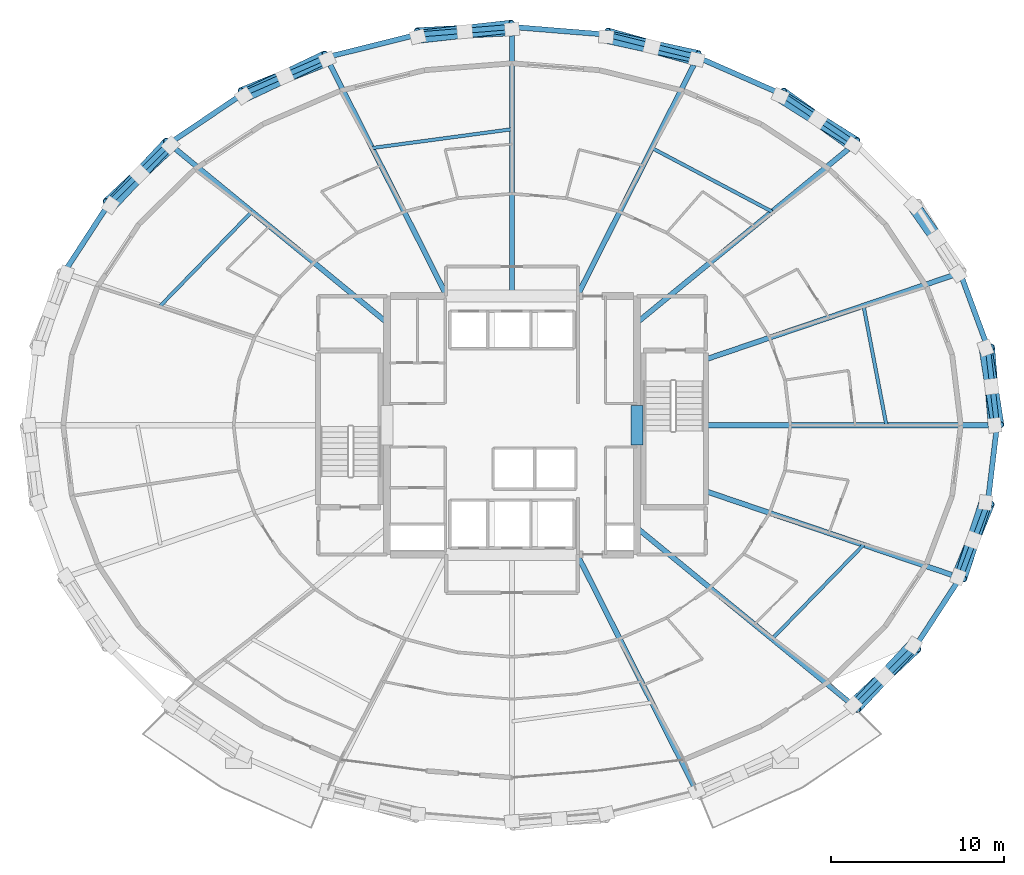
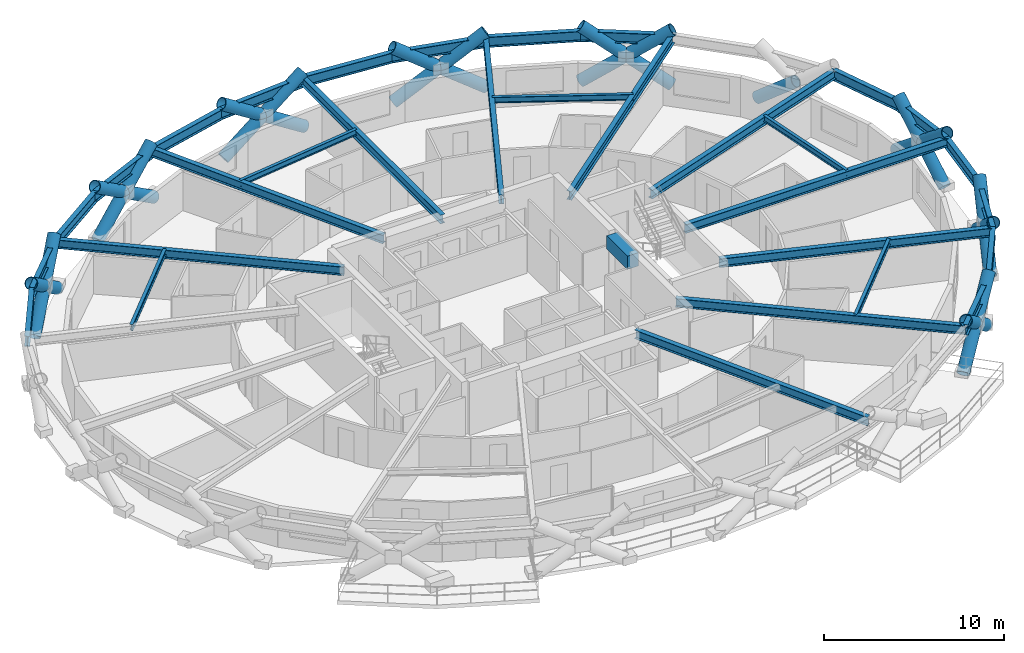
# One storey, part 5 of 13: 32 beams, 25 members.
"""IFC4 building model written with IfcOpenShell, lengths in metres."""

from ifc_helpers import new_model, si_unit, direction, frame, origin, origin_2d, place, context, subcontext, project, spatial, rectangle, hollow_circle, i_section, extrude, material, material_profile, profile_set, type_object, element, save


model = new_model("IFC4")

# Units and contexts
model_context = context("Model", 3, precision=1e-05, world=origin(), true_north=direction((0.0, 1.0)))
body_context = subcontext(model_context, "Body", "Model", "MODEL_VIEW")
ifc_project = project(units=[si_unit("LENGTHUNIT", "METRE"), si_unit("AREAUNIT", "SQUARE_METRE"), si_unit("VOLUMEUNIT", "CUBIC_METRE"), si_unit("PLANEANGLEUNIT", "RADIAN"), si_unit("MASSUNIT", "GRAM", prefix="KILO")], contexts=[model_context])

# Site, building, storey
site_placement = place(None, origin())
site = spatial("IfcSite", under=ifc_project, at=site_placement, CompositionType="ELEMENT")
building_placement = place(site_placement, origin())
building = spatial("IfcBuilding", under=site, at=building_placement, Name="Veldorina Hangang Commons", CompositionType="ELEMENT")
storey_placement = place(building_placement, frame((0.0, 0.0, 37.60009765625)))
storey = spatial("IfcBuildingStorey", under=building, at=storey_placement, Name="L08", CompositionType="ELEMENT", Elevation=37.60009765625)

# Beams
ifc_material_1 = material(Name="Concrete C70/85", Category="concrete")
ifc_material_profile_1 = material_profile(ifc_material_1, rectangle(XDim=0.699951171875, YDim=0.89990234375, at=origin_2d()), Name="RC-CB-700x900")
ifc_profile_set_1 = profile_set([ifc_material_profile_1], Name="Concrete C70/85")
beam_type_1 = type_object("IfcBeamType", Name="BM-CB900", PredefinedType="LINTEL", material=ifc_profile_set_1)
beam_1_placement = place(storey_placement, frame((39.199951171875, 22.85009765625, 2.889892578125), z_axis=(0.0, 1.0, 0.0), x_axis=(-1.0, 0.0, 0.0)))
element("IfcBeam", 1, at=beam_1_placement, inside=storey, type_object=beam_type_1, Name="L08 E core coupling lintel beam", PredefinedType="LINTEL", context=body_context, shape_type="SweptSolid", body=[
    extrude(rectangle(XDim=0.699951171875, YDim=0.89990234375, at=origin_2d()), origin(), (0.0, 0.0, 1.0), 2.2998046875),
])
ifc_material_2 = material(Name="Steel SM460-TMC", Category="steel")
ifc_material_profile_2 = material_profile(ifc_material_2, i_section(OverallWidth=0.300048828125, OverallDepth=0.587890625, WebThickness=0.011962890625, FlangeThickness=0.02001953125, FilletRadius=0.01806640625, at=origin_2d()), Name="H-588x300x12x20")
ifc_profile_set_2 = profile_set([ifc_material_profile_2], Name="Steel SM460-TMC")
beam_type_2 = type_object("IfcBeamType", Name="BM-FG588", PredefinedType="BEAM", material=ifc_profile_set_2)
beam_2_placement = place(storey_placement, frame((43.179931640625, 24.0, 3.0458984375), z_axis=(1.0, 0.0, 0.0), x_axis=(0.0, 1.0, 0.0)))
element("IfcBeam", 2, at=beam_2_placement, inside=storey, type_object=beam_type_2, Name="L08 radial floor girder 01", PredefinedType="BEAM", context=body_context, shape_type="SweptSolid", body=[
    extrude(i_section(OverallWidth=0.300048828125, OverallDepth=0.587890625, WebThickness=0.011962890625, FlangeThickness=0.02001953125, FilletRadius=0.01806640625, at=origin_2d()), origin(), (0.0, 0.0, 1.0), 16.7880859375),
])
beam_3_placement = place(storey_placement, frame((43.179931640625, 27.802978515625, 3.0458984375), z_axis=(0.946724488541, 0.32204462858, 0.0), x_axis=(-0.32204462858, 0.946724488541, 0.0)))
element("IfcBeam", 3, at=beam_3_placement, inside=storey, type_object=beam_type_2, Name="L08 radial floor girder 02", PredefinedType="BEAM", context=body_context, shape_type="SweptSolid", body=[
    extrude(i_section(OverallWidth=0.300048828125, OverallDepth=0.587890625, WebThickness=0.011962890625, FlangeThickness=0.02001953125, FilletRadius=0.01806640625, at=origin_2d()), origin(), (0.0, 0.0, 1.0), 15.484130859375),
])
beam_4_placement = place(storey_placement, frame((39.199951171875, 29.912841796875, 3.0458984375), z_axis=(0.772809028637, 0.634638641478, 0.0), x_axis=(-0.634638641478, 0.772809028637, 0.0)))
element("IfcBeam", 4, at=beam_4_placement, inside=storey, type_object=beam_type_2, Name="L08 radial floor girder 03", PredefinedType="BEAM", context=body_context, shape_type="SweptSolid", body=[
    extrude(i_section(OverallWidth=0.300048828125, OverallDepth=0.587890625, WebThickness=0.011962890625, FlangeThickness=0.02001953125, FilletRadius=0.01806640625, at=origin_2d()), origin(), (0.0, 0.0, 1.0), 16.273681640625),
])
beam_5_placement = place(storey_placement, frame((35.7578125, 31.449951171875, 3.0458984375), z_axis=(0.45033266296, 0.892860847317, 0.0), x_axis=(-0.892860847317, 0.45033266296, 0.0)))
element("IfcBeam", 5, at=beam_5_placement, inside=storey, type_object=beam_type_2, Name="L08 radial floor girder 04", PredefinedType="BEAM", context=body_context, shape_type="SweptSolid", body=[
    extrude(i_section(OverallWidth=0.300048828125, OverallDepth=0.587890625, WebThickness=0.011962890625, FlangeThickness=0.02001953125, FilletRadius=0.01806640625, at=origin_2d()), origin(), (0.0, 0.0, 1.0), 15.422119140625),
])
beam_6_placement = place(storey_placement, frame((32.0, 31.449951171875, 3.0458984375), z_axis=(0.0, 1.0, 0.0), x_axis=(-1.0, 0.0, 0.0)))
element("IfcBeam", 6, at=beam_6_placement, inside=storey, type_object=beam_type_2, Name="L08 radial floor girder 05", PredefinedType="BEAM", context=body_context, shape_type="SweptSolid", body=[
    extrude(i_section(OverallWidth=0.300048828125, OverallDepth=0.587890625, WebThickness=0.011962890625, FlangeThickness=0.02001953125, FilletRadius=0.01806640625, at=origin_2d()), origin(), (0.0, 0.0, 1.0), 15.51806640625),
])
beam_7_placement = place(storey_placement, frame((28.2421875, 31.449951171875, 3.0458984375), z_axis=(-0.45033266296, 0.892860847317, 0.0), x_axis=(-0.892860847317, -0.45033266296, 0.0)))
element("IfcBeam", 7, at=beam_7_placement, inside=storey, type_object=beam_type_2, Name="L08 radial floor girder 06", PredefinedType="BEAM", context=body_context, shape_type="SweptSolid", body=[
    extrude(i_section(OverallWidth=0.300048828125, OverallDepth=0.587890625, WebThickness=0.011962890625, FlangeThickness=0.02001953125, FilletRadius=0.01806640625, at=origin_2d()), origin(), (0.0, 0.0, 1.0), 15.422119140625),
])
beam_8_placement = place(storey_placement, frame((24.800048828125, 29.912841796875, 3.0458984375), z_axis=(-0.772809028637, 0.634638641478, 0.0), x_axis=(-0.634638641478, -0.772809028637, 0.0)))
element("IfcBeam", 8, at=beam_8_placement, inside=storey, type_object=beam_type_2, Name="L08 radial floor girder 07", PredefinedType="BEAM", context=body_context, shape_type="SweptSolid", body=[
    extrude(i_section(OverallWidth=0.300048828125, OverallDepth=0.587890625, WebThickness=0.011962890625, FlangeThickness=0.02001953125, FilletRadius=0.01806640625, at=origin_2d()), origin(), (0.0, 0.0, 1.0), 16.273681640625),
])
beam_9_placement = place(storey_placement, frame((35.7578125, 16.550048828125, 3.0458984375), z_axis=(0.45033266296, -0.892860847317, 0.0), x_axis=(0.892860847317, 0.45033266296, 0.0)))
element("IfcBeam", 9, at=beam_9_placement, inside=storey, type_object=beam_type_2, Name="L08 radial floor girder 14", PredefinedType="BEAM", context=body_context, shape_type="SweptSolid", body=[
    extrude(i_section(OverallWidth=0.300048828125, OverallDepth=0.587890625, WebThickness=0.011962890625, FlangeThickness=0.02001953125, FilletRadius=0.01806640625, at=origin_2d()), origin(), (0.0, 0.0, 1.0), 15.422119140625),
])
beam_10_placement = place(storey_placement, frame((39.199951171875, 18.087158203125, 3.0458984375), z_axis=(0.772809028637, -0.634638641478, 0.0), x_axis=(0.634638641478, 0.772809028637, 0.0)))
element("IfcBeam", 10, at=beam_10_placement, inside=storey, type_object=beam_type_2, Name="L08 radial floor girder 15", PredefinedType="BEAM", context=body_context, shape_type="SweptSolid", body=[
    extrude(i_section(OverallWidth=0.300048828125, OverallDepth=0.587890625, WebThickness=0.011962890625, FlangeThickness=0.02001953125, FilletRadius=0.01806640625, at=origin_2d()), origin(), (0.0, 0.0, 1.0), 16.273681640625),
])
beam_11_placement = place(storey_placement, frame((43.179931640625, 20.197021484375, 3.0458984375), z_axis=(0.946724488541, -0.32204462858, 0.0), x_axis=(0.32204462858, 0.946724488541, 0.0)))
element("IfcBeam", 11, at=beam_11_placement, inside=storey, type_object=beam_type_2, Name="L08 radial floor girder 16", PredefinedType="BEAM", context=body_context, shape_type="SweptSolid", body=[
    extrude(i_section(OverallWidth=0.300048828125, OverallDepth=0.587890625, WebThickness=0.011962890625, FlangeThickness=0.02001953125, FilletRadius=0.01806640625, at=origin_2d()), origin(), (0.0, 0.0, 1.0), 15.484130859375),
])
ifc_material_3 = material(Name="Steel SM355-TMC", Category="steel")
ifc_material_profile_3 = material_profile(ifc_material_3, i_section(OverallWidth=0.199951171875, OverallDepth=0.39990234375, WebThickness=0.008056640625, FlangeThickness=0.012939453125, FilletRadius=0.012939453125, at=origin_2d()), Name="H-400x200x8x13")
ifc_profile_set_3 = profile_set([ifc_material_profile_3], Name="Steel SM355-TMC")
beam_type_3 = type_object("IfcBeamType", Name="BM-JST400", PredefinedType="JOIST", material=ifc_profile_set_3)
beam_12_placement = place(storey_placement, frame((53.588623046875, 24.0, 3.139892578125), z_axis=(-0.188050142781, 0.982159428912, 0.0), x_axis=(-0.982159428912, -0.188050142781, 0.0)))
element("IfcBeam", 12, at=beam_12_placement, inside=storey, type_object=beam_type_3, Name="L08 secondary floor joist 01", PredefinedType="JOIST", context=body_context, shape_type="SweptSolid", body=[
    extrude(i_section(OverallWidth=0.199951171875, OverallDepth=0.39990234375, WebThickness=0.008056640625, FlangeThickness=0.012939453125, FilletRadius=0.012939453125, at=origin_2d()), origin(), (0.0, 0.0, 1.0), 7.019775390625),
])
beam_13_placement = place(storey_placement, frame((46.997314453125, 36.316162109375, 3.139892578125), z_axis=(-0.883765964202, 0.467929183229, 0.0), x_axis=(-0.467929183229, -0.883765964202, 0.0)))
element("IfcBeam", 13, at=beam_13_placement, inside=storey, type_object=beam_type_3, Name="L08 secondary floor joist 03", PredefinedType="JOIST", context=body_context, shape_type="SweptSolid", body=[
    extrude(i_section(OverallWidth=0.199951171875, OverallDepth=0.39990234375, WebThickness=0.008056640625, FlangeThickness=0.012939453125, FilletRadius=0.012939453125, at=origin_2d()), origin(), (0.0, 0.0, 1.0), 7.845458984375),
])
beam_14_placement = place(storey_placement, frame((32.0, 41.0712890625, 3.139892578125), z_axis=(-0.991085288644, -0.133228940676, 0.0), x_axis=(0.133228940676, -0.991085288644, 0.0)))
element("IfcBeam", 14, at=beam_14_placement, inside=storey, type_object=beam_type_3, Name="L08 secondary floor joist 05", PredefinedType="JOIST", context=body_context, shape_type="SweptSolid", body=[
    extrude(i_section(OverallWidth=0.199951171875, OverallDepth=0.39990234375, WebThickness=0.008056640625, FlangeThickness=0.012939453125, FilletRadius=0.012939453125, at=origin_2d()), origin(), (0.0, 0.0, 1.0), 8.13623046875),
])
for number, where, z_axis, x_axis, name in (
    (15, (17.002685546875, 36.316162109375, 3.139892578125), (-0.697092685683, -0.716981023157, 0.0), (0.716981023157, -0.697092685683, 0.0), "L08 secondary floor joist 07"),
    (16, (46.997314453125, 11.683837890625, 3.139892578125), (0.697092685683, 0.716981023157, 0.0), (-0.716981023157, 0.697092685683, 0.0), "L08 secondary floor joist 15"),
):
    element("IfcBeam", number, at=place(storey_placement, frame(where, z_axis=z_axis, x_axis=x_axis)), inside=storey, type_object=beam_type_3, Name=name, PredefinedType="JOIST", context=body_context, shape_type="SweptSolid", body=[
        extrude(i_section(OverallWidth=0.199951171875, OverallDepth=0.39990234375, WebThickness=0.008056640625, FlangeThickness=0.012939453125, FilletRadius=0.012939453125, at=origin_2d()), origin(), (0.0, 0.0, 1.0), 7.561767578125),
    ])
ifc_material_profile_4 = material_profile(ifc_material_2, i_section(OverallWidth=0.300048828125, OverallDepth=0.699951171875, WebThickness=0.012939453125, FlangeThickness=0.02392578125, FilletRadius=0.02197265625, at=origin_2d()), Name="H-700x300x13x24")
ifc_profile_set_4 = profile_set([ifc_material_profile_4], Name="Steel SM460-TMC")
beam_type_4 = type_object("IfcBeamType", Name="BM-RB700", PredefinedType="BEAM", material=ifc_profile_set_4)
beam_15_placement = place(storey_placement, frame((59.968017578125, 24.0, 2.989990234375), z_axis=(-0.119066294028, 0.992886306496, 0.0), x_axis=(-0.992886306496, -0.119066294028, 0.0)))
element("IfcBeam", 17, at=beam_15_placement, inside=storey, type_object=beam_type_4, Name="L08 perimeter hoop ring beam 00", PredefinedType="BEAM", context=body_context, shape_type="SweptSolid", body=[
    extrude(i_section(OverallWidth=0.300048828125, OverallDepth=0.699951171875, WebThickness=0.012939453125, FlangeThickness=0.02392578125, FilletRadius=0.02197265625, at=origin_2d()), origin(), (0.0, 0.0, 1.0), 4.51318359375),
])
beam_16_placement = place(storey_placement, frame((59.4306640625, 28.48095703125, 2.989990234375), z_axis=(-0.346505772207, 0.938047839839, 0.0), x_axis=(-0.938047839839, -0.346505772207, 0.0)))
element("IfcBeam", 18, at=beam_16_placement, inside=storey, type_object=beam_type_4, Name="L08 perimeter hoop ring beam 01", PredefinedType="BEAM", context=body_context, shape_type="SweptSolid", body=[
    extrude(i_section(OverallWidth=0.300048828125, OverallDepth=0.699951171875, WebThickness=0.012939453125, FlangeThickness=0.02392578125, FilletRadius=0.02197265625, at=origin_2d()), origin(), (0.0, 0.0, 1.0), 4.59326171875),
])
beam_17_placement = place(storey_placement, frame((51.7763671875, 40.24072265625, 2.989990234375), z_axis=(-0.8292471772, 0.558882026108, 0.0), x_axis=(-0.558882026108, -0.8292471772, 0.0)))
element("IfcBeam", 19, at=beam_17_placement, inside=storey, type_object=beam_type_4, Name="L08 perimeter hoop ring beam 04", PredefinedType="BEAM", context=body_context, shape_type="SweptSolid", body=[
    extrude(i_section(OverallWidth=0.300048828125, OverallDepth=0.699951171875, WebThickness=0.012939453125, FlangeThickness=0.02392578125, FilletRadius=0.02197265625, at=origin_2d()), origin(), (0.0, 0.0, 1.0), 5.111083984375),
])
beam_18_placement = place(storey_placement, frame((47.5380859375, 43.09716796875, 2.989990234375), z_axis=(-0.91565897193, 0.401956026355, 0.0), x_axis=(-0.401956026355, -0.91565897193, 0.0)))
element("IfcBeam", 20, at=beam_18_placement, inside=storey, type_object=beam_type_4, Name="L08 perimeter hoop ring beam 05", PredefinedType="BEAM", context=body_context, shape_type="SweptSolid", body=[
    extrude(i_section(OverallWidth=0.300048828125, OverallDepth=0.699951171875, WebThickness=0.012939453125, FlangeThickness=0.02392578125, FilletRadius=0.02197265625, at=origin_2d()), origin(), (0.0, 0.0, 1.0), 5.280517578125),
])
beam_19_placement = place(storey_placement, frame((42.702880859375, 45.2197265625, 2.989990234375), z_axis=(-0.970349321217, 0.241706836504, 0.0), x_axis=(-0.241706836504, -0.970349321217, 0.0)))
element("IfcBeam", 21, at=beam_19_placement, inside=storey, type_object=beam_type_4, Name="L08 perimeter hoop ring beam 06", PredefinedType="BEAM", context=body_context, shape_type="SweptSolid", body=[
    extrude(i_section(OverallWidth=0.300048828125, OverallDepth=0.699951171875, WebThickness=0.012939453125, FlangeThickness=0.02392578125, FilletRadius=0.02197265625, at=origin_2d()), origin(), (0.0, 0.0, 1.0), 5.406982421875),
])
for number, where, z_axis, x_axis, name in (
    (22, (37.456298828125, 46.526611328125, 2.989990234375), (-0.996743693077, 0.080635043943, 0.0), (-0.080635043943, -0.996743693077, 0.0), "L08 perimeter hoop ring beam 07"),
    (23, (32.0, 46.968017578125, 2.989990234375), (-0.996743693077, -0.080635043943, 0.0), (0.080635043943, -0.996743693077, 0.0), "L08 perimeter hoop ring beam 08"),
):
    element("IfcBeam", number, at=place(storey_placement, frame(where, z_axis=z_axis, x_axis=x_axis)), inside=storey, type_object=beam_type_4, Name=name, PredefinedType="BEAM", context=body_context, shape_type="SweptSolid", body=[
        extrude(i_section(OverallWidth=0.300048828125, OverallDepth=0.699951171875, WebThickness=0.012939453125, FlangeThickness=0.02392578125, FilletRadius=0.02197265625, at=origin_2d()), origin(), (0.0, 0.0, 1.0), 5.47412109375),
    ])
beam_20_placement = place(storey_placement, frame((26.543701171875, 46.526611328125, 2.989990234375), z_axis=(-0.970349321217, -0.241706836504, 0.0), x_axis=(0.241706836504, -0.970349321217, 0.0)))
element("IfcBeam", 24, at=beam_20_placement, inside=storey, type_object=beam_type_4, Name="L08 perimeter hoop ring beam 09", PredefinedType="BEAM", context=body_context, shape_type="SweptSolid", body=[
    extrude(i_section(OverallWidth=0.300048828125, OverallDepth=0.699951171875, WebThickness=0.012939453125, FlangeThickness=0.02392578125, FilletRadius=0.02197265625, at=origin_2d()), origin(), (0.0, 0.0, 1.0), 5.406982421875),
])
beam_21_placement = place(storey_placement, frame((21.297119140625, 45.2197265625, 2.989990234375), z_axis=(-0.91565897193, -0.401956026355, 0.0), x_axis=(0.401956026355, -0.91565897193, 0.0)))
element("IfcBeam", 25, at=beam_21_placement, inside=storey, type_object=beam_type_4, Name="L08 perimeter hoop ring beam 10", PredefinedType="BEAM", context=body_context, shape_type="SweptSolid", body=[
    extrude(i_section(OverallWidth=0.300048828125, OverallDepth=0.699951171875, WebThickness=0.012939453125, FlangeThickness=0.02392578125, FilletRadius=0.02197265625, at=origin_2d()), origin(), (0.0, 0.0, 1.0), 5.280517578125),
])
beam_22_placement = place(storey_placement, frame((16.4619140625, 43.09716796875, 2.989990234375), z_axis=(-0.8292471772, -0.558882026108, 0.0), x_axis=(0.558882026108, -0.8292471772, 0.0)))
element("IfcBeam", 26, at=beam_22_placement, inside=storey, type_object=beam_type_4, Name="L08 perimeter hoop ring beam 11", PredefinedType="BEAM", context=body_context, shape_type="SweptSolid", body=[
    extrude(i_section(OverallWidth=0.300048828125, OverallDepth=0.699951171875, WebThickness=0.012939453125, FlangeThickness=0.02392578125, FilletRadius=0.02197265625, at=origin_2d()), origin(), (0.0, 0.0, 1.0), 5.111083984375),
])
beam_23_placement = place(storey_placement, frame((12.2236328125, 40.24072265625, 2.989990234375), z_axis=(-0.706883456899, -0.707330034964, 0.0), x_axis=(0.707330034964, -0.706883456899, 0.0)))
element("IfcBeam", 27, at=beam_23_placement, inside=storey, type_object=beam_type_4, Name="L08 perimeter hoop ring beam 12", PredefinedType="BEAM", context=body_context, shape_type="SweptSolid", body=[
    extrude(i_section(OverallWidth=0.300048828125, OverallDepth=0.699951171875, WebThickness=0.012939453125, FlangeThickness=0.02392578125, FilletRadius=0.02197265625, at=origin_2d()), origin(), (0.0, 0.0, 1.0), 4.920166015625),
])
beam_24_placement = place(storey_placement, frame((8.74560546875, 36.760498046875, 2.989990234375), z_axis=(-0.545522532992, -0.83809615558, 0.0), x_axis=(0.83809615558, -0.545522532992, 0.0)))
element("IfcBeam", 28, at=beam_24_placement, inside=storey, type_object=beam_type_4, Name="L08 perimeter hoop ring beam 13", PredefinedType="BEAM", context=body_context, shape_type="SweptSolid", body=[
    extrude(i_section(OverallWidth=0.300048828125, OverallDepth=0.699951171875, WebThickness=0.012939453125, FlangeThickness=0.02392578125, FilletRadius=0.02197265625, at=origin_2d()), origin(), (0.0, 0.0, 1.0), 4.738037109375),
])
beam_25_placement = place(storey_placement, frame((51.7763671875, 7.75927734375, 2.989990234375), z_axis=(0.706883456899, 0.707330034964, 0.0), x_axis=(-0.707330034964, 0.706883456899, 0.0)))
element("IfcBeam", 29, at=beam_25_placement, inside=storey, type_object=beam_type_4, Name="L08 perimeter hoop ring beam 28", PredefinedType="BEAM", context=body_context, shape_type="SweptSolid", body=[
    extrude(i_section(OverallWidth=0.300048828125, OverallDepth=0.699951171875, WebThickness=0.012939453125, FlangeThickness=0.02392578125, FilletRadius=0.02197265625, at=origin_2d()), origin(), (0.0, 0.0, 1.0), 4.920166015625),
])
beam_26_placement = place(storey_placement, frame((55.25439453125, 11.239501953125, 2.989990234375), z_axis=(0.545522532992, 0.83809615558, 0.0), x_axis=(-0.83809615558, 0.545522532992, 0.0)))
element("IfcBeam", 30, at=beam_26_placement, inside=storey, type_object=beam_type_4, Name="L08 perimeter hoop ring beam 29", PredefinedType="BEAM", context=body_context, shape_type="SweptSolid", body=[
    extrude(i_section(OverallWidth=0.300048828125, OverallDepth=0.699951171875, WebThickness=0.012939453125, FlangeThickness=0.02392578125, FilletRadius=0.02197265625, at=origin_2d()), origin(), (0.0, 0.0, 1.0), 4.738037109375),
])
beam_27_placement = place(storey_placement, frame((57.839111328125, 15.21044921875, 2.989990234375), z_axis=(0.346505772207, 0.938047839839, 0.0), x_axis=(-0.938047839839, 0.346505772207, 0.0)))
element("IfcBeam", 31, at=beam_27_placement, inside=storey, type_object=beam_type_4, Name="L08 perimeter hoop ring beam 30", PredefinedType="BEAM", context=body_context, shape_type="SweptSolid", body=[
    extrude(i_section(OverallWidth=0.300048828125, OverallDepth=0.699951171875, WebThickness=0.012939453125, FlangeThickness=0.02392578125, FilletRadius=0.02197265625, at=origin_2d()), origin(), (0.0, 0.0, 1.0), 4.59326171875),
])
beam_28_placement = place(storey_placement, frame((59.4306640625, 19.51904296875, 2.989990234375), z_axis=(0.119066294028, 0.992886306496, 0.0), x_axis=(-0.992886306496, 0.119066294028, 0.0)))
element("IfcBeam", 32, at=beam_28_placement, inside=storey, type_object=beam_type_4, Name="L08 perimeter hoop ring beam 31", PredefinedType="BEAM", context=body_context, shape_type="SweptSolid", body=[
    extrude(i_section(OverallWidth=0.300048828125, OverallDepth=0.699951171875, WebThickness=0.012939453125, FlangeThickness=0.02392578125, FilletRadius=0.02197265625, at=origin_2d()), origin(), (0.0, 0.0, 1.0), 4.51318359375),
])

# Members
ifc_material_profile_5 = material_profile(ifc_material_2, hollow_circle(Radius=0.375, WallThickness=0.035888671875, at=origin_2d()), Name="CHS-750x36")
ifc_profile_set_5 = profile_set([ifc_material_profile_5], Name="Steel SM460-TMC")
member_type = type_object("IfcMemberType", Name="DG-CHS750", PredefinedType="BRACE", material=ifc_profile_set_5)
member_1_placement = place(storey_placement, frame((59.833740234375, 24.0, 0.0), z_axis=(-0.065269057398, 0.778273153597, 0.624524497948), x_axis=(-0.996501860772, -0.08357057782, 0.0)))
element("IfcMember", 33, at=member_1_placement, inside=storey, type_object=member_type, Name="L08 continuous perimeter diagrid brace 00", PredefinedType="BRACE", context=body_context, shape_type="SweptSolid", body=[
    extrude(hollow_circle(Radius=0.375, WallThickness=0.035888671875, at=origin_2d()), origin(), (0.0, 0.0, 1.0), 5.76416015625),
])
member_2_placement = place(storey_placement, frame((59.299072265625, 28.45458984375, 0.0), z_axis=(0.120766008351, -0.772070170123, 0.623957709811), x_axis=(0.987986638153, 0.154539324547, 0.0)))
element("IfcMember", 34, at=member_2_placement, inside=storey, type_object=member_type, Name="L08 split perimeter diagrid lower brace 01", PredefinedType="BRACE", context=body_context, shape_type="SweptSolid", body=[
    extrude(hollow_circle(Radius=0.375, WallThickness=0.035888671875, at=origin_2d()), origin(), (0.0, 0.0, 1.0), 2.874755859375),
])
member_3_placement = place(storey_placement, frame((59.646240234375, 26.235107421875, 1.793701171875), z_axis=(0.120603485245, -0.772115319871, 0.623933275413), x_axis=(0.988019748532, 0.154327497586, 0.0)))
element("IfcMember", 35, at=member_3_placement, inside=storey, type_object=member_type, Name="L08 split perimeter diagrid upper brace 01", PredefinedType="BRACE", context=body_context, shape_type="SweptSolid", body=[
    extrude(hollow_circle(Radius=0.375, WallThickness=0.035888671875, at=origin_2d()), origin(), (0.0, 0.0, 1.0), 2.894775390625),
])
member_4_placement = place(storey_placement, frame((55.14306640625, 36.685791015625, 0.0), z_axis=(0.457310775407, -0.6522786721, 0.604482744683), x_axis=(0.818809617872, 0.574065161528, 0.0)))
element("IfcMember", 36, at=member_4_placement, inside=storey, type_object=member_type, Name="L08 split perimeter diagrid lower brace 03", PredefinedType="BRACE", context=body_context, shape_type="SweptSolid", body=[
    extrude(hollow_circle(Radius=0.375, WallThickness=0.035888671875, at=origin_2d()), origin(), (0.0, 0.0, 1.0), 2.9677734375),
])
member_5_placement = place(storey_placement, frame((51.681396484375, 40.14599609375, 0.0), z_axis=(-0.662322497469, 0.477194976589, 0.577593164489), x_axis=(-0.584565104354, -0.811346805485, 0.0)))
element("IfcMember", 37, at=member_5_placement, inside=storey, type_object=member_type, Name="L08 continuous perimeter diagrid brace 04", PredefinedType="BRACE", context=body_context, shape_type="SweptSolid", body=[
    extrude(hollow_circle(Radius=0.375, WallThickness=0.035888671875, at=origin_2d()), origin(), (0.0, 0.0, 1.0), 6.232421875),
])
member_6_placement = place(storey_placement, frame((47.463623046875, 42.985595703125, 0.0), z_axis=(0.692609612781, -0.435151089223, 0.575269896511), x_axis=(0.53199318191, 0.846748637082, 0.0)))
element("IfcMember", 38, at=member_6_placement, inside=storey, type_object=member_type, Name="L08 split perimeter diagrid lower brace 05", PredefinedType="BRACE", context=body_context, shape_type="SweptSolid", body=[
    extrude(hollow_circle(Radius=0.375, WallThickness=0.035888671875, at=origin_2d()), origin(), (0.0, 0.0, 1.0), 3.118896484375),
])
member_7_placement = place(storey_placement, frame((49.623779296875, 41.62841796875, 1.794189453125), z_axis=(0.692040220609, -0.435947998684, 0.575351784131), x_axis=(0.533004973935, 0.846112107088, 0.0)))
element("IfcMember", 39, at=member_7_placement, inside=storey, type_object=member_type, Name="L08 split perimeter diagrid upper brace 05", PredefinedType="BRACE", context=body_context, shape_type="SweptSolid", body=[
    extrude(hollow_circle(Radius=0.375, WallThickness=0.035888671875, at=origin_2d()), origin(), (0.0, 0.0, 1.0), 3.138427734375),
])
member_8_placement = place(storey_placement, frame((42.651611328125, 45.095703125, 0.0), z_axis=(-0.800639389048, 0.224885586227, 0.555340473775), x_axis=(-0.270417680614, -0.962743100734, 0.0)))
element("IfcMember", 40, at=member_8_placement, inside=storey, type_object=member_type, Name="L08 continuous perimeter diagrid brace 06", PredefinedType="BRACE", context=body_context, shape_type="SweptSolid", body=[
    extrude(hollow_circle(Radius=0.375, WallThickness=0.035888671875, at=origin_2d()), origin(), (0.0, 0.0, 1.0), 6.482177734375),
])
member_9_placement = place(storey_placement, frame((37.43017578125, 46.39501953125, 0.0), z_axis=(0.81339302842, -0.176791792719, 0.554198920374), x_axis=(0.212392041956, 0.977184537595, 0.0)))
element("IfcMember", 41, at=member_9_placement, inside=storey, type_object=member_type, Name="L08 split perimeter diagrid lower brace 07", PredefinedType="BRACE", context=body_context, shape_type="SweptSolid", body=[
    extrude(hollow_circle(Radius=0.375, WallThickness=0.035888671875, at=origin_2d()), origin(), (0.0, 0.0, 1.0), 3.23828125),
])
member_10_placement = place(storey_placement, frame((40.064208984375, 45.822509765625, 1.794677734375), z_axis=(0.813297047265, -0.177259931507, 0.554190246749), x_axis=(0.212952971622, 0.977062450347, 0.0)))
element("IfcMember", 42, at=member_10_placement, inside=storey, type_object=member_type, Name="L08 split perimeter diagrid upper brace 07", PredefinedType="BRACE", context=body_context, shape_type="SweptSolid", body=[
    extrude(hollow_circle(Radius=0.375, WallThickness=0.035888671875, at=origin_2d()), origin(), (0.0, 0.0, 1.0), 3.25732421875),
])
member_11_placement = place(storey_placement, frame((32.0, 46.833740234375, 0.0), z_axis=(-0.834184657462, -0.042807383969, 0.549821321097), x_axis=(0.051249001861, -0.998685906483, 0.0)))
element("IfcMember", 43, at=member_11_placement, inside=storey, type_object=member_type, Name="L08 continuous perimeter diagrid brace 08", PredefinedType="BRACE", context=body_context, shape_type="SweptSolid", body=[
    extrude(hollow_circle(Radius=0.375, WallThickness=0.035888671875, at=origin_2d()), origin(), (0.0, 0.0, 1.0), 6.54736328125),
])
member_12_placement = place(storey_placement, frame((26.56982421875, 46.39501953125, 0.0), z_axis=(0.829982078721, 0.091687983266, 0.550202746927), x_axis=(-0.109801878411, 0.993953493629, 0.0)))
element("IfcMember", 44, at=member_12_placement, inside=storey, type_object=member_type, Name="L08 split perimeter diagrid lower brace 09", PredefinedType="BRACE", context=body_context, shape_type="SweptSolid", body=[
    extrude(hollow_circle(Radius=0.375, WallThickness=0.035888671875, at=origin_2d()), origin(), (0.0, 0.0, 1.0), 3.261962890625),
])
member_13_placement = place(storey_placement, frame((29.277099609375, 46.694091796875, 1.794677734375), z_axis=(0.829951641437, 0.091828236845, 0.550225270043), x_axis=(-0.109971795033, 0.993934708267, 0.0)))
element("IfcMember", 45, at=member_13_placement, inside=storey, type_object=member_type, Name="L08 split perimeter diagrid upper brace 09", PredefinedType="BRACE", context=body_context, shape_type="SweptSolid", body=[
    extrude(hollow_circle(Radius=0.375, WallThickness=0.035888671875, at=origin_2d()), origin(), (0.0, 0.0, 1.0), 3.28076171875),
])
member_14_placement = place(storey_placement, frame((21.348388671875, 45.095703125, 0.0), z_axis=(-0.766569548898, -0.308949137847, 0.562957864255), x_axis=(0.373810673454, -0.927505029858, 0.0)))
element("IfcMember", 46, at=member_14_placement, inside=storey, type_object=member_type, Name="L08 continuous perimeter diagrid brace 10", PredefinedType="BRACE", context=body_context, shape_type="SweptSolid", body=[
    extrude(hollow_circle(Radius=0.375, WallThickness=0.035888671875, at=origin_2d()), origin(), (0.0, 0.0, 1.0), 6.39453125),
])
member_15_placement = place(storey_placement, frame((16.536376953125, 42.985595703125, 0.0), z_axis=(0.745404705458, 0.354145993965, 0.564758744987), x_axis=(-0.429134679923, 0.903240514197, 0.0)))
element("IfcMember", 47, at=member_15_placement, inside=storey, type_object=member_type, Name="L08 split perimeter diagrid lower brace 11", PredefinedType="BRACE", context=body_context, shape_type="SweptSolid", body=[
    extrude(hollow_circle(Radius=0.375, WallThickness=0.035888671875, at=origin_2d()), origin(), (0.0, 0.0, 1.0), 3.17724609375),
])
member_16_placement = place(storey_placement, frame((18.90478515625, 44.11083984375, 1.79443359375), z_axis=(0.745078336332, 0.354821028147, 0.564765713118), x_axis=(-0.429955133741, 0.902850255009, 0.0)))
element("IfcMember", 48, at=member_16_placement, inside=storey, type_object=member_type, Name="L08 split perimeter diagrid upper brace 11", PredefinedType="BRACE", context=body_context, shape_type="SweptSolid", body=[
    extrude(hollow_circle(Radius=0.375, WallThickness=0.035888671875, at=origin_2d()), origin(), (0.0, 0.0, 1.0), 3.19677734375),
])
member_17_placement = place(storey_placement, frame((12.318603515625, 40.14599609375, 0.0), z_axis=(-0.589189935851, -0.552228057874, 0.58982996837), x_axis=(0.683850495613, -0.729622162252, 0.0)))
element("IfcMember", 49, at=member_17_placement, inside=storey, type_object=member_type, Name="L08 continuous perimeter diagrid brace 12", PredefinedType="BRACE", context=body_context, shape_type="SweptSolid", body=[
    extrude(hollow_circle(Radius=0.375, WallThickness=0.035888671875, at=origin_2d()), origin(), (0.0, 0.0, 1.0), 6.103271484375),
])
member_18_placement = place(storey_placement, frame((8.85693359375, 36.685791015625, 0.0), z_axis=(0.551104246419, 0.587774681067, 0.592287965331), x_axis=(-0.729496651386, 0.683984382583, 0.0)))
element("IfcMember", 50, at=member_18_placement, inside=storey, type_object=member_type, Name="L08 split perimeter diagrid lower brace 13", PredefinedType="BRACE", context=body_context, shape_type="SweptSolid", body=[
    extrude(hollow_circle(Radius=0.375, WallThickness=0.035888671875, at=origin_2d()), origin(), (0.0, 0.0, 1.0), 3.029296875),
])
member_19_placement = place(storey_placement, frame((10.5263671875, 38.46630859375, 1.794189453125), z_axis=(0.550400286203, 0.588439008151, 0.592282921106), x_axis=(-0.730317797517, 0.683107542506, 0.0)))
element("IfcMember", 51, at=member_19_placement, inside=storey, type_object=member_type, Name="L08 split perimeter diagrid upper brace 13", PredefinedType="BRACE", context=body_context, shape_type="SweptSolid", body=[
    extrude(hollow_circle(Radius=0.375, WallThickness=0.035888671875, at=origin_2d()), origin(), (0.0, 0.0, 1.0), 3.048583984375),
])
member_20_placement = place(storey_placement, frame((51.681396484375, 7.85400390625, 0.0), z_axis=(0.589189935851, 0.552228057874, 0.58982996837), x_axis=(-0.683850495613, 0.729622162252, 0.0)))
element("IfcMember", 52, at=member_20_placement, inside=storey, type_object=member_type, Name="L08 continuous perimeter diagrid brace 28", PredefinedType="BRACE", context=body_context, shape_type="SweptSolid", body=[
    extrude(hollow_circle(Radius=0.375, WallThickness=0.035888671875, at=origin_2d()), origin(), (0.0, 0.0, 1.0), 6.103271484375),
])
member_21_placement = place(storey_placement, frame((55.14306640625, 11.314208984375, 0.0), z_axis=(-0.551104246419, -0.587774681067, 0.592287965331), x_axis=(0.729496651386, -0.683984382583, 0.0)))
element("IfcMember", 53, at=member_21_placement, inside=storey, type_object=member_type, Name="L08 split perimeter diagrid lower brace 29", PredefinedType="BRACE", context=body_context, shape_type="SweptSolid", body=[
    extrude(hollow_circle(Radius=0.375, WallThickness=0.035888671875, at=origin_2d()), origin(), (0.0, 0.0, 1.0), 3.029296875),
])
member_22_placement = place(storey_placement, frame((53.4736328125, 9.53369140625, 1.794189453125), z_axis=(-0.550400286203, -0.588439008151, 0.592282921106), x_axis=(0.730317797517, -0.683107542506, 0.0)))
element("IfcMember", 54, at=member_22_placement, inside=storey, type_object=member_type, Name="L08 split perimeter diagrid upper brace 29", PredefinedType="BRACE", context=body_context, shape_type="SweptSolid", body=[
    extrude(hollow_circle(Radius=0.375, WallThickness=0.035888671875, at=origin_2d()), origin(), (0.0, 0.0, 1.0), 3.048583984375),
])
member_23_placement = place(storey_placement, frame((57.715087890625, 15.261962890625, 0.0), z_axis=(0.298499379436, 0.728410423462, 0.616697961297), x_axis=(-0.925318280105, 0.379191350776, 0.0)))
element("IfcMember", 55, at=member_23_placement, inside=storey, type_object=member_type, Name="L08 continuous perimeter diagrid brace 30", PredefinedType="BRACE", context=body_context, shape_type="SweptSolid", body=[
    extrude(hollow_circle(Radius=0.375, WallThickness=0.035888671875, at=origin_2d()), origin(), (0.0, 0.0, 1.0), 5.83740234375),
])
member_24_placement = place(storey_placement, frame((59.299072265625, 19.54541015625, 0.0), z_axis=(-0.246745126163, -0.746210448052, 0.618293465866), x_axis=(0.949440794454, -0.313946138416, 0.0)))
element("IfcMember", 56, at=member_24_placement, inside=storey, type_object=member_type, Name="L08 split perimeter diagrid lower brace 31", PredefinedType="BRACE", context=body_context, shape_type="SweptSolid", body=[
    extrude(hollow_circle(Radius=0.375, WallThickness=0.035888671875, at=origin_2d()), origin(), (0.0, 0.0, 1.0), 2.901123046875),
])
member_25_placement = place(storey_placement, frame((58.583251953125, 17.380615234375, 1.793701171875), z_axis=(-0.246036426806, -0.746466496001, 0.618266808936), x_axis=(0.949741236955, -0.313036072727, 0.0)))
element("IfcMember", 57, at=member_25_placement, inside=storey, type_object=member_type, Name="L08 split perimeter diagrid upper brace 31", PredefinedType="BRACE", context=body_context, shape_type="SweptSolid", body=[
    extrude(hollow_circle(Radius=0.375, WallThickness=0.035888671875, at=origin_2d()), origin(), (0.0, 0.0, 1.0), 2.92138671875),
])

save(model, "model.ifc")
